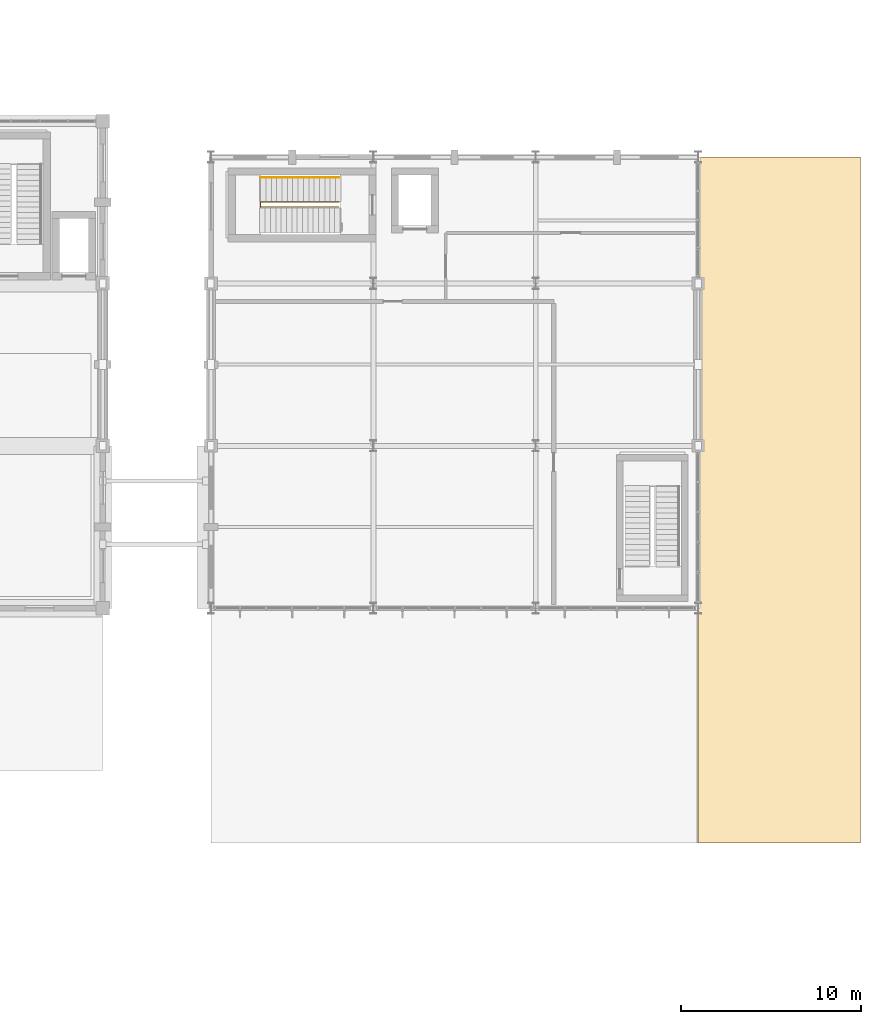
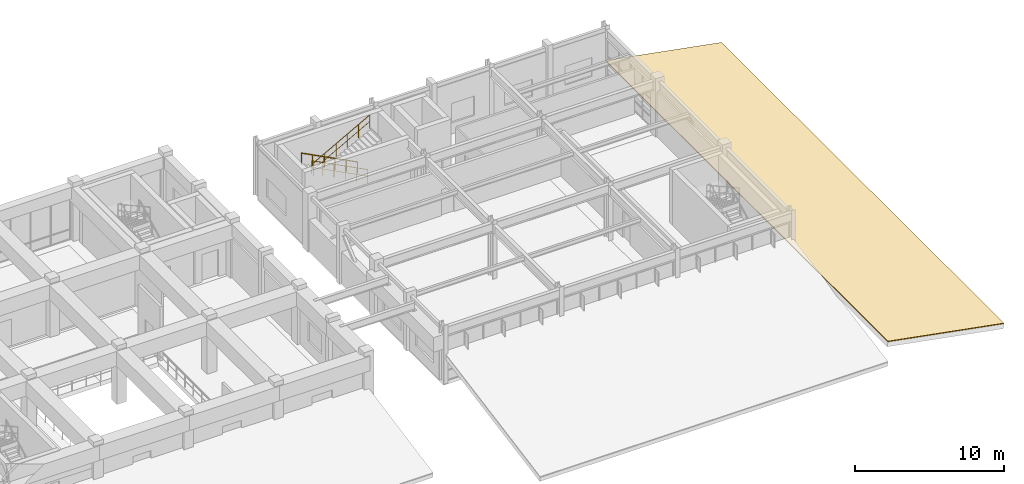
# One storey, part 104 of 104: 2 railings, 1 covering.
"""IFC4 building model written with IfcOpenShell, lengths in metres."""

from ifc_helpers import new_model, si_unit, direction, frame, origin, origin_2d, place, context, subcontext, project, spatial, polyline, circle, outline, extrude, material, layer, layer_set, type_object, element, save


model = new_model("IFC4")

# Units and contexts
model_context = context("Model", 3, precision=1e-05, world=origin(), true_north=direction((0.0, 1.0)))
body_context = subcontext(model_context, "Body", "Model", "MODEL_VIEW")
ifc_project = project(units=[si_unit("LENGTHUNIT", "METRE"), si_unit("AREAUNIT", "SQUARE_METRE"), si_unit("VOLUMEUNIT", "CUBIC_METRE"), si_unit("PLANEANGLEUNIT", "RADIAN"), si_unit("MASSUNIT", "GRAM", prefix="KILO")], contexts=[model_context])

# Site, building, storey
site_placement = place(None, origin())
site = spatial("IfcSite", under=ifc_project, at=site_placement, CompositionType="ELEMENT")
building_placement = place(site_placement, origin())
building = spatial("IfcBuilding", under=site, at=building_placement, Name="Ventoquebrada Cableway Terminal", CompositionType="ELEMENT")
storey_placement = place(building_placement, frame((0.0, 0.0, 4.800048828125)))
storey = spatial("IfcBuildingStorey", under=building, at=storey_placement, Name="L01", CompositionType="ELEMENT", Elevation=4.800048828125)

# Covering
ifc_material_1 = material(Name="Standing-seam zinc-titanium roofing")
ifc_layer = layer(ifc_material_1, 0.06005859375)
ifc_layer_set = layer_set([ifc_layer], Name="Standing-seam zinc-titanium roofing")
covering_type = type_object("IfcCoveringType", Name="COV-RF01", PredefinedType="ROOFING", material=ifc_layer_set)
covering_placement = place(storey_placement, frame((155.989013671875, 64.0, 1.6689453125), z_axis=(0.18222679532, 0.0, 0.983256525566), x_axis=(0.983256525566, 0.0, -0.18222679532)))
element("IfcCovering", 1, at=covering_placement, inside=storey, type_object=covering_type, Name="Standing-seam roof covering SL-112", PredefinedType="ROOFING", context=body_context, shape_type="SweptSolid", body=[
    extrude(outline(polyline([(0.0, 0.0), (9.153257330097114, 0.0), (9.153257330097114, 38.0), (0.0, 38.0), (0.0, 0.0)])), origin(), (0.0, 0.0, 1.0), 0.06005859375),
])

# Railings
ifc_material_2 = material(Name="Brushed stainless steel Grade 316", Category="steel")
railing_type_1 = type_object("IfcRailingType", Name="RL-GD01", PredefinedType="GUARDRAIL", material=ifc_material_2)
railing_1_placement = place(storey_placement, frame((136.10009765625, 99.510009765625, 0.14990234375)))
element("IfcRailing", 2, at=railing_1_placement, inside=storey, type_object=railing_type_1, Name="Stair well guardrail GR-S30", PredefinedType="GUARDRAIL", context=body_context, shape_type="SweptSolid", body=[
    extrude(circle(Radius=0.02392578125, at=origin_2d()), frame((-0.001708984375, 0.0, 1.096923828125), z_axis=(-0.888221851817, 0.0, 0.459414782038), x_axis=(0.0, -1.0, 0.0)), (0.0, 0.0, 1.0), 4.8935546875),
    extrude(circle(Radius=0.01611328125, at=origin_2d()), frame((-0.001708984375, 0.0, 0.56103515625), z_axis=(-0.888221851817, 0.0, 0.459414782038), x_axis=(0.0, -1.0, 0.0)), (0.0, 0.0, 1.0), 4.8935546875),
    extrude(circle(Radius=0.02392578125, at=origin_2d()), frame((-4.35009765625, -0.001953125, 3.34619140625), z_axis=(0.0, -1.0, 0.0), x_axis=(1.0, 0.0, 0.0)), (0.0, 0.0, 1.0), 0.276123046875),
    extrude(circle(Radius=0.01611328125, at=origin_2d()), frame((-4.35009765625, -0.001953125, 2.81005859375), z_axis=(0.0, -1.0, 0.0), x_axis=(1.0, 0.0, 0.0)), (0.0, 0.0, 1.0), 0.276123046875),
    extrude(circle(Radius=0.02392578125, at=origin_2d()), frame((-4.348388671875, -0.280029296875, 3.346923828125), z_axis=(0.875569800069, 0.0, 0.483091632309), x_axis=(0.0, 1.0, 0.0)), (0.0, 0.0, 1.0), 4.96435546875),
    extrude(circle(Radius=0.01611328125, at=origin_2d()), frame((-4.348388671875, -0.280029296875, 2.81103515625), z_axis=(0.875569800069, 0.0, 0.483091632309), x_axis=(0.0, 1.0, 0.0)), (0.0, 0.0, 1.0), 4.96435546875),
    extrude(circle(Radius=0.02099609375, at=origin_2d()), origin(), (0.0, 0.0, 1.0), 1.072021484375),
    extrude(circle(Radius=0.02099609375, at=origin_2d()), frame((-0.8701171875, 0.0, 0.449951171875)), (0.0, 0.0, 1.0), 1.072021484375),
    extrude(circle(Radius=0.02099609375, at=origin_2d()), frame((-1.739990234375, 0.0, 0.89990234375)), (0.0, 0.0, 1.0), 1.072021484375),
    extrude(circle(Radius=0.02099609375, at=origin_2d()), frame((-2.610107421875, 0.0, 1.35009765625)), (0.0, 0.0, 1.0), 1.072021484375),
    extrude(circle(Radius=0.02099609375, at=origin_2d()), frame((-3.47998046875, 0.0, 1.800048828125)), (0.0, 0.0, 1.0), 1.072021484375),
    extrude(circle(Radius=0.02099609375, at=origin_2d()), frame((-4.35009765625, 0.0, 2.25)), (0.0, 0.0, 1.0), 1.072021484375),
    extrude(circle(Radius=0.02099609375, at=origin_2d()), frame((-4.35009765625, -0.280029296875, 2.25)), (0.0, 0.0, 1.0), 1.072021484375),
    extrude(circle(Radius=0.02099609375, at=origin_2d()), frame((-3.47998046875, -0.280029296875, 2.72998046875)), (0.0, 0.0, 1.0), 1.072021484375),
    extrude(circle(Radius=0.02099609375, at=origin_2d()), frame((-2.610107421875, -0.280029296875, 3.2099609375)), (0.0, 0.0, 1.0), 1.072021484375),
    extrude(circle(Radius=0.02099609375, at=origin_2d()), frame((-1.739990234375, -0.280029296875, 3.690185546875)), (0.0, 0.0, 1.0), 1.072021484375),
    extrude(circle(Radius=0.02099609375, at=origin_2d()), frame((-0.8701171875, -0.280029296875, 4.170166015625)), (0.0, 0.0, 1.0), 1.072021484375),
    extrude(circle(Radius=0.02099609375, at=origin_2d()), frame((0.0, -0.280029296875, 4.650146484375)), (0.0, 0.0, 1.0), 1.072021484375),
])
railing_type_2 = type_object("IfcRailingType", Name="RL-HR01", PredefinedType="HANDRAIL", material=ifc_material_2)
railing_2_placement = place(storey_placement, frame((136.10009765625, 100.8701171875, 0.14990234375)))
element("IfcRailing", 3, at=railing_2_placement, inside=storey, type_object=railing_type_2, Name="Stair wall handrail HR-S30", PredefinedType="HANDRAIL", context=body_context, shape_type="SweptSolid", body=[
    extrude(circle(Radius=0.02392578125, at=origin_2d()), frame((-0.001708984375, 0.0, 0.896728515625), z_axis=(-0.888221851817, 0.0, 0.459414782038), x_axis=(0.0, -1.0, 0.0)), (0.0, 0.0, 1.0), 4.8935546875),
    extrude(circle(Radius=0.02099609375, at=origin_2d()), origin(), (0.0, 0.0, 1.0), 0.871826171875),
    extrude(circle(Radius=0.02099609375, at=origin_2d()), frame((-0.8701171875, 0.0, 0.449951171875)), (0.0, 0.0, 1.0), 0.871826171875),
    extrude(circle(Radius=0.02099609375, at=origin_2d()), frame((-1.739990234375, 0.0, 0.89990234375)), (0.0, 0.0, 1.0), 0.871826171875),
    extrude(circle(Radius=0.02099609375, at=origin_2d()), frame((-2.610107421875, 0.0, 1.35009765625)), (0.0, 0.0, 1.0), 0.871826171875),
    extrude(circle(Radius=0.02099609375, at=origin_2d()), frame((-3.47998046875, 0.0, 1.800048828125)), (0.0, 0.0, 1.0), 0.871826171875),
    extrude(circle(Radius=0.02099609375, at=origin_2d()), frame((-4.35009765625, 0.0, 2.25)), (0.0, 0.0, 1.0), 0.871826171875),
])

save(model, "model.ifc")
